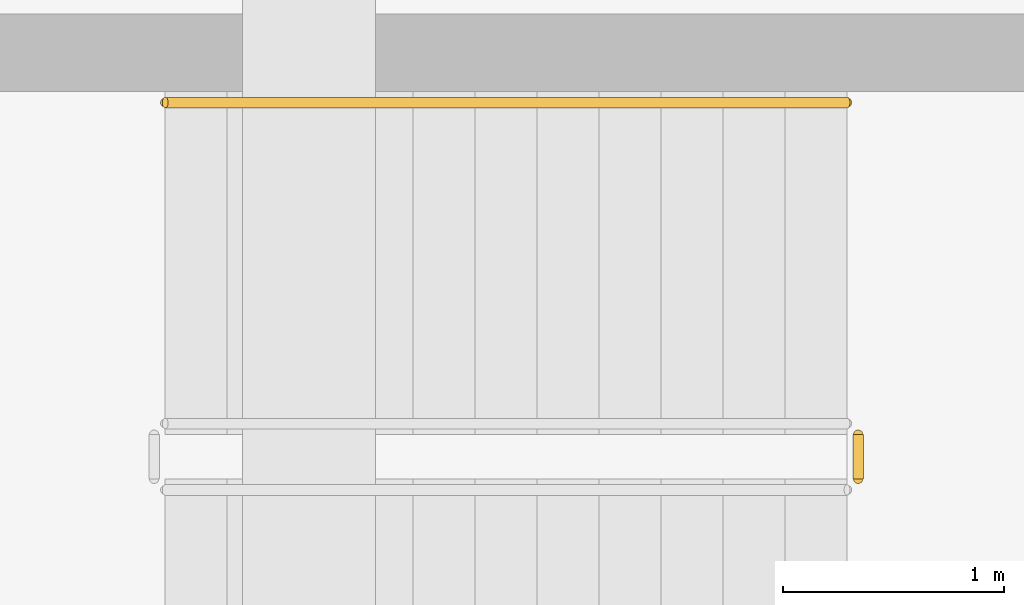
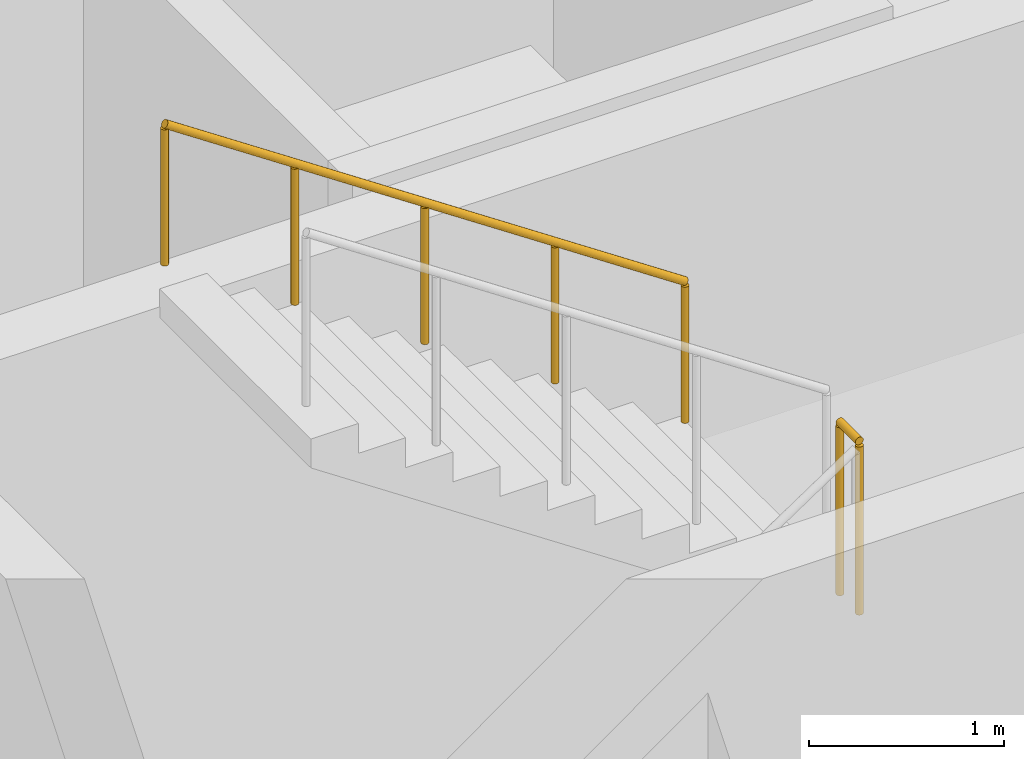
# One storey, part 35 of 36: 2 railings.
"""IFC4 building model written with IfcOpenShell, lengths in metres."""

from ifc_helpers import new_model, si_unit, direction, frame, origin, origin_2d, place, context, subcontext, project, spatial, circle, extrude, material, type_object, element, save


model = new_model("IFC4")

# Units and contexts
model_context = context("Model", 3, precision=1e-05, world=origin(), true_north=direction((0.0, 1.0)))
body_context = subcontext(model_context, "Body", "Model", "MODEL_VIEW")
ifc_project = project(units=[si_unit("LENGTHUNIT", "METRE"), si_unit("AREAUNIT", "SQUARE_METRE"), si_unit("VOLUMEUNIT", "CUBIC_METRE"), si_unit("PLANEANGLEUNIT", "RADIAN"), si_unit("MASSUNIT", "GRAM", prefix="KILO")], contexts=[model_context])

# Site, building, storey
site_placement = place(None, origin())
site = spatial("IfcSite", under=ifc_project, at=site_placement, CompositionType="ELEMENT")
building_placement = place(site_placement, origin())
building = spatial("IfcBuilding", under=site, at=building_placement, Name="Kalmorath City Hall", CompositionType="ELEMENT")
storey_placement = place(building_placement, frame((0.0, 0.0, -4.5)))
storey = spatial("IfcBuildingStorey", under=building, at=storey_placement, Name="B1", CompositionType="ELEMENT", Elevation=-4.5)

# Railings
ifc_material_1 = material(Name="Painted steel guardrail", Category="steel")
railing_type_1 = type_object("IfcRailingType", Name="Protected stair guardrail 1100", PredefinedType="GUARDRAIL", material=ifc_material_1)
railing_1_placement = place(storey_placement, frame((9.679931640625, 88.85009765625, 2.25)))
element("IfcRailing", 1, at=railing_1_placement, inside=storey, type_object=railing_type_1, Name="B1 ST-4 stair guard 2", PredefinedType="GUARDRAIL", context=body_context, shape_type="SweptSolid", body=[
    extrude(circle(Radius=0.02392578125, at=origin_2d()), frame((0.0, 0.0, 1.076171875), z_axis=(0.0, 1.0, 0.0), x_axis=(-1.0, 0.0, 0.0)), (0.0, 0.0, 1.0), 0.199951171875),
    extrude(circle(Radius=0.02099609375, at=origin_2d()), origin(), (0.0, 0.0, 1.0), 1.052001953125),
    extrude(circle(Radius=0.02099609375, at=origin_2d()), frame((0.0, 0.199951171875, 0.0)), (0.0, 0.0, 1.0), 1.052001953125),
])
ifc_material_2 = material(Name="Brushed stainless steel handrail", Category="steel")
railing_type_2 = type_object("IfcRailingType", Name="Stair pitch handrail 900", PredefinedType="HANDRAIL", material=ifc_material_2)
railing_2_placement = place(storey_placement, frame((9.6298828125, 90.550048828125, 2.4375)))
element("IfcRailing", 2, at=railing_2_placement, inside=storey, type_object=railing_type_2, Name="B1 ST-4 stair handrail 2", PredefinedType="HANDRAIL", context=body_context, shape_type="SweptSolid", body=[
    extrude(circle(Radius=0.02392578125, at=origin_2d()), frame((0.0, 0.0, 0.8759765625), z_axis=(-0.830893310487, 0.0, 0.556431762742), x_axis=(0.0, -1.0, 0.0)), (0.0, 0.0, 1.0), 3.70654296875),
    extrude(circle(Radius=0.02099609375, at=origin_2d()), origin(), (0.0, 0.0, 1.0), 0.851806640625),
    extrude(circle(Radius=0.02099609375, at=origin_2d()), frame((-0.77001953125, 0.0, 0.515625)), (0.0, 0.0, 1.0), 0.851806640625),
    extrude(circle(Radius=0.02099609375, at=origin_2d()), frame((-1.5400390625, 0.0, 1.03125)), (0.0, 0.0, 1.0), 0.851806640625),
    extrude(circle(Radius=0.02099609375, at=origin_2d()), frame((-2.309814453125, 0.0, 1.546875)), (0.0, 0.0, 1.0), 0.851806640625),
    extrude(circle(Radius=0.02099609375, at=origin_2d()), frame((-3.079833984375, 0.0, 2.0625)), (0.0, 0.0, 1.0), 0.851806640625),
])

save(model, "model.ifc")
